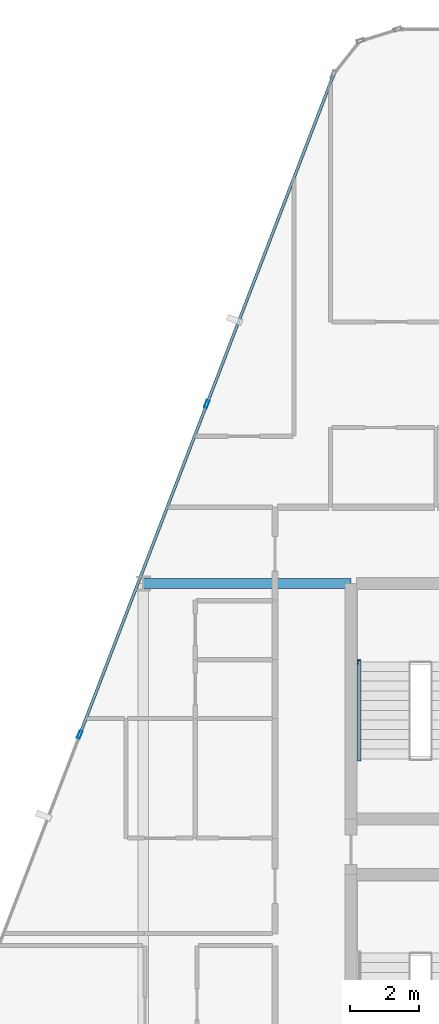
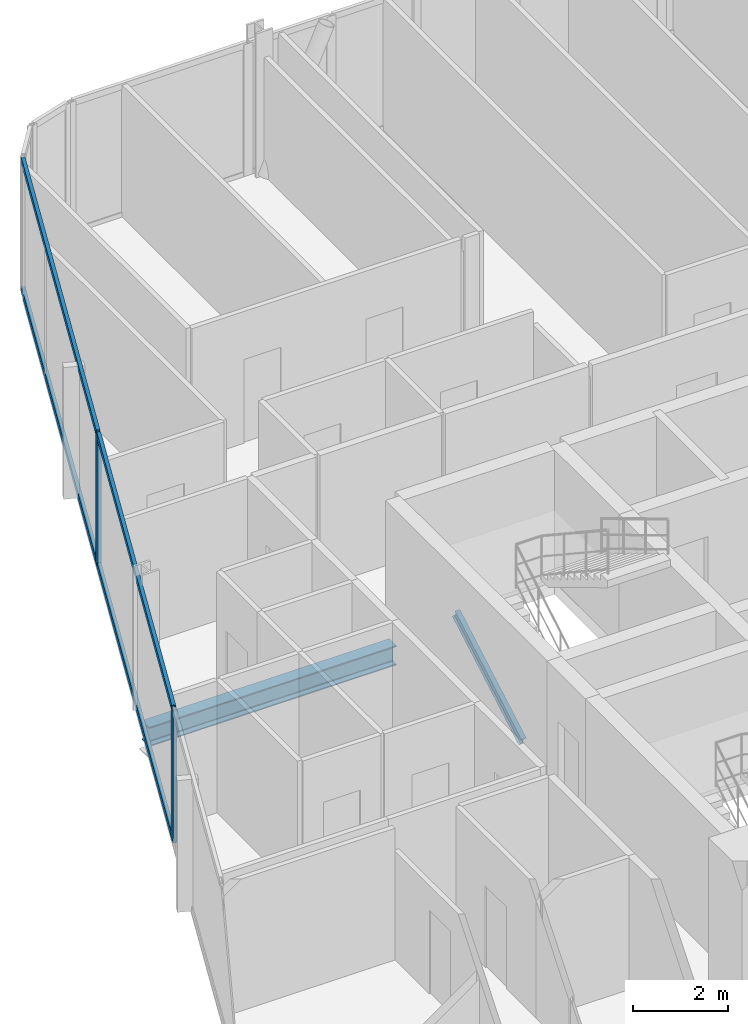
# One storey, part 11 of 34: 7 members, 1 beam, 1 element without a shape of its own.
"""IFC4 building model written with IfcOpenShell, lengths in metres."""

from ifc_helpers import new_model, si_unit, direction, frame, origin, origin_2d, place, context, subcontext, project, spatial, hollow_rectangle, i_section, extrude, material, layer, layer_set, material_profile, profile_set, type_object, element, aggregate, save


model = new_model("IFC4")

# Units and contexts
model_context = context("Model", 3, precision=1e-05, world=origin(), true_north=direction((0.0, 1.0)))
body_context = subcontext(model_context, "Body", "Model", "MODEL_VIEW")
ifc_project = project(units=[si_unit("LENGTHUNIT", "METRE"), si_unit("AREAUNIT", "SQUARE_METRE"), si_unit("VOLUMEUNIT", "CUBIC_METRE"), si_unit("PLANEANGLEUNIT", "RADIAN"), si_unit("MASSUNIT", "GRAM", prefix="KILO")], contexts=[model_context])

# Site, building, storey
site_placement = place(None, origin())
site = spatial("IfcSite", under=ifc_project, at=site_placement, CompositionType="ELEMENT")
building_placement = place(site_placement, origin())
building = spatial("IfcBuilding", under=site, at=building_placement, Name="Keshet Zoharim Tower", CompositionType="ELEMENT")
storey_placement = place(building_placement, frame((0.0, 0.0, 46.199951171875)))
storey = spatial("IfcBuildingStorey", under=building, at=storey_placement, Name="L10", CompositionType="ELEMENT", Elevation=46.199951171875)

# Beam
ifc_material_1 = material(Name="Steel S355", Category="steel")
ifc_material_profile_1 = material_profile(ifc_material_1, i_section(OverallWidth=0.300048828125, OverallDepth=0.5, WebThickness=0.014404296875, FlangeThickness=0.028076171875, FilletRadius=0.027099609375, at=origin_2d()), Name="HEB500")
ifc_profile_set_1 = profile_set([ifc_material_profile_1], Name="Steel S355")
beam_type = type_object("IfcBeamType", Name="BM-WEB-HB500", PredefinedType="BEAM", material=ifc_profile_set_1)
beam_placement = place(storey_placement, frame((9.0, 37.89990234375, -0.56494140625), z_axis=(1.0, 0.0, 0.0), x_axis=(0.0, 1.0, 0.0)))
element("IfcBeam", 1, at=beam_placement, inside=storey, type_object=beam_type, Name="L10 Primary Girder X-028", PredefinedType="BEAM", context=body_context, shape_type="SweptSolid", body=[
    extrude(i_section(OverallWidth=0.300048828125, OverallDepth=0.5, WebThickness=0.014404296875, FlangeThickness=0.028076171875, FilletRadius=0.027099609375, at=origin_2d()), origin(), (0.0, 0.0, 1.0), 6.0),
])

# Curtain wall, members
ifc_material_2 = material(Name="Aluminium 6063-T6", Category="aluminium")
ifc_layer = layer(ifc_material_2, 0.179931640625)
ifc_layer_set = layer_set([ifc_layer], Name="Aluminium 6063-T6")
curtain_wall_type = type_object("IfcCurtainWallType", Name="CW-SYS-01", PredefinedType="NOTDEFINED", material=ifc_layer_set)
curtain_wall_placement = place(storey_placement, origin())
curtain_wall = element("IfcCurtainWall", 2, at=curtain_wall_placement, inside=storey, type_object=curtain_wall_type, Name="L10 Unitised Curtain Wall 04", PredefinedType="NOTDEFINED")
ifc_material_profile_2 = material_profile(ifc_material_2, hollow_rectangle(XDim=0.090087890625, YDim=0.219970703125, WallThickness=0.0048828125, at=origin_2d()), Name="MUL-90x220")
ifc_profile_set_2 = profile_set([ifc_material_profile_2], Name="Aluminium 6063-T6")
member_type_1 = type_object("IfcMemberType", Name="CWM-M22", PredefinedType="MULLION", material=ifc_profile_set_2)
member_1_placement = place(storey_placement, frame((7.1669921875, 33.53466796875, 0.0), z_axis=(0.0, 0.0, 1.0), x_axis=(-0.933341404361, 0.358990003907, 0.0)))
member_1 = element("IfcMember", 3, at=member_1_placement, type_object=member_type_1, Name="CW-01 mullion 2", PredefinedType="MULLION", context=body_context, shape_type="SweptSolid", body=[
    extrude(hollow_rectangle(XDim=0.090087890625, YDim=0.219970703125, WallThickness=0.0048828125, at=origin_2d()), origin(), (0.0, 0.0, 1.0), 3.385009765625),
])
member_2_placement = place(storey_placement, frame((10.8369140625, 43.076416015625, 0.0), z_axis=(0.0, 0.0, 1.0), x_axis=(-0.933341404361, 0.358990003907, 0.0)))
member_2 = element("IfcMember", 4, at=member_2_placement, type_object=member_type_1, Name="CW-01 mullion 3", PredefinedType="MULLION", context=body_context, shape_type="SweptSolid", body=[
    extrude(hollow_rectangle(XDim=0.090087890625, YDim=0.219970703125, WallThickness=0.0048828125, at=origin_2d()), origin(), (0.0, 0.0, 1.0), 3.385009765625),
])
ifc_material_profile_3 = material_profile(ifc_material_2, hollow_rectangle(XDim=0.0849609375, YDim=0.159912109375, WallThickness=0.00439453125, at=origin_2d()), Name="TRN-85x160")
ifc_profile_set_3 = profile_set([ifc_material_profile_3], Name="Aluminium 6063-T6")
member_type_2 = type_object("IfcMemberType", Name="CWT-T16", PredefinedType="USERDEFINED", material=ifc_profile_set_3)
member_3_placement = place(storey_placement, frame((7.179443359375, 33.5673828125, 0.03515625), z_axis=(0.359003248899, 0.933336309848, 0.0), x_axis=(-0.933336309848, 0.359003248899, 0.0)))
member_3 = element("IfcMember", 5, at=member_3_placement, type_object=member_type_2, Name="CW-01 transom 2.1", ObjectType="TRANSOM", PredefinedType="USERDEFINED", context=body_context, shape_type="SweptSolid", body=[
    extrude(hollow_rectangle(XDim=0.0849609375, YDim=0.159912109375, WallThickness=0.00439453125, at=origin_2d()), origin(), (0.0, 0.0, 1.0), 10.153076171875),
])
member_4_placement = place(storey_placement, frame((7.179443359375, 33.5673828125, 3.35009765625), z_axis=(0.359003248899, 0.933336309848, 0.0), x_axis=(-0.933336309848, 0.359003248899, 0.0)))
member_4 = element("IfcMember", 6, at=member_4_placement, type_object=member_type_2, Name="CW-01 transom 2.2", ObjectType="TRANSOM", PredefinedType="USERDEFINED", context=body_context, shape_type="SweptSolid", body=[
    extrude(hollow_rectangle(XDim=0.0849609375, YDim=0.159912109375, WallThickness=0.00439453125, at=origin_2d()), origin(), (0.0, 0.0, 1.0), 10.153076171875),
])
member_5_placement = place(storey_placement, frame((10.849609375, 43.10888671875, 0.03515625), z_axis=(0.358985546764, 0.933343118694, 0.0), x_axis=(-0.933343118694, 0.358985546764, 0.0)))
member_5 = element("IfcMember", 7, at=member_5_placement, type_object=member_type_2, Name="CW-01 transom 3.1", ObjectType="TRANSOM", PredefinedType="USERDEFINED", context=body_context, shape_type="SweptSolid", body=[
    extrude(hollow_rectangle(XDim=0.0849609375, YDim=0.159912109375, WallThickness=0.00439453125, at=origin_2d()), origin(), (0.0, 0.0, 1.0), 10.118408203125),
])
member_6_placement = place(storey_placement, frame((10.849609375, 43.10888671875, 3.35009765625), z_axis=(0.358985546764, 0.933343118694, 0.0), x_axis=(-0.933343118694, 0.358985546764, 0.0)))
member_6 = element("IfcMember", 8, at=member_6_placement, type_object=member_type_2, Name="CW-01 transom 3.2", ObjectType="TRANSOM", PredefinedType="USERDEFINED", context=body_context, shape_type="SweptSolid", body=[
    extrude(hollow_rectangle(XDim=0.0849609375, YDim=0.159912109375, WallThickness=0.00439453125, at=origin_2d()), origin(), (0.0, 0.0, 1.0), 10.118408203125),
])
aggregate(curtain_wall, [member_1, member_2, member_3, member_4, member_5, member_6])

# Member
ifc_material_profile_4 = material_profile(ifc_material_1, i_section(OverallWidth=0.1201171875, OverallDepth=0.239990234375, WebThickness=0.006103515625, FlangeThickness=0.009765625, FilletRadius=0.014892578125, at=origin_2d()), Name="IPE240")
ifc_profile_set_4 = profile_set([ifc_material_profile_4], Name="Steel S355")
member_type_3 = type_object("IfcMemberType", Name="MB-STRG-IP240", PredefinedType="STRINGER", material=ifc_profile_set_4)
member_7_placement = place(storey_placement, frame((15.22998046875, 32.840087890625, 0.1201171875), z_axis=(0.0, 0.866909569656, 0.498465443174), x_axis=(-1.0, 0.0, 0.0)))
element("IfcMember", 9, at=member_7_placement, inside=storey, type_object=member_type_3, Name="L10 ST-02 Flight Steel Stringer", PredefinedType="STRINGER", context=body_context, shape_type="SweptSolid", body=[
    extrude(i_section(OverallWidth=0.1201171875, OverallDepth=0.239990234375, WebThickness=0.006103515625, FlangeThickness=0.009765625, FilletRadius=0.014892578125, at=origin_2d()), origin(), (0.0, 0.0, 1.0), 3.229736328125),
])

save(model, "model.ifc")
